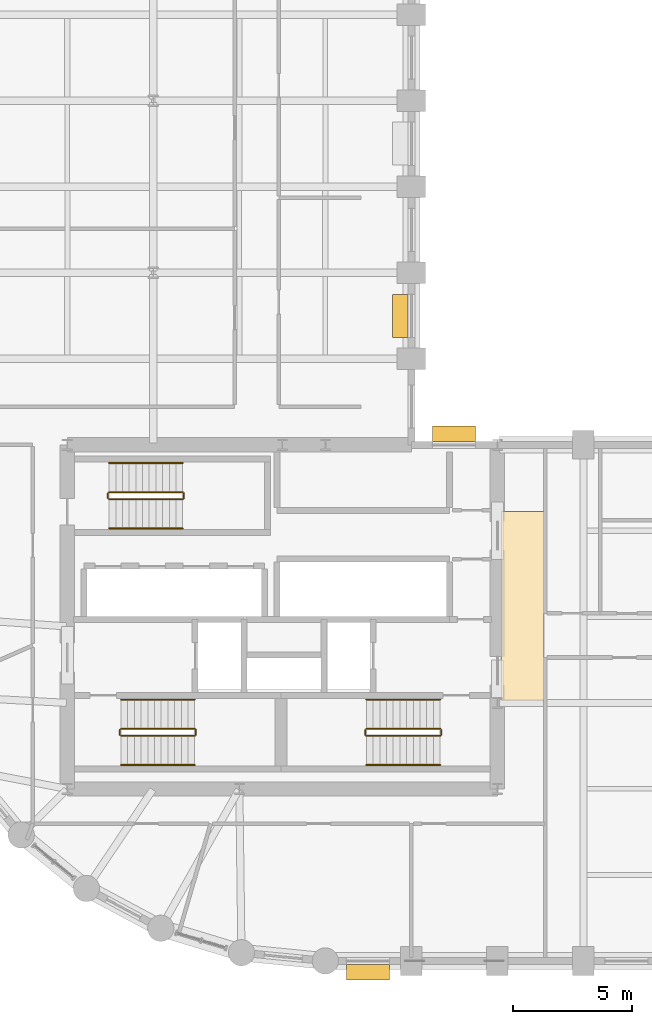
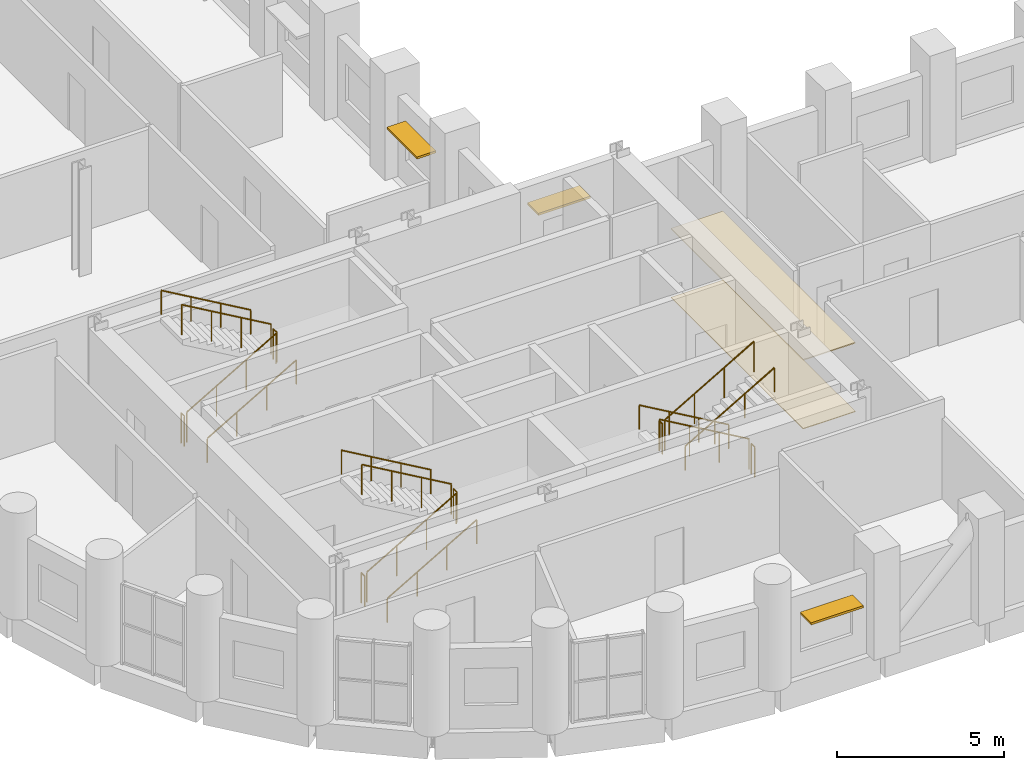
# One storey, part 12 of 13: 18 railings, 3 shading devices, 2 coverings.
"""IFC4 building model written with IfcOpenShell, lengths in metres."""

from ifc_helpers import new_model, si_unit, direction, frame, origin, origin_2d, place, context, subcontext, project, spatial, polyline, rectangle, circle, outline, extrude, material, layer, layer_set, type_object, element, save


model = new_model("IFC4")

# Units and contexts
model_context = context("Model", 3, precision=1e-05, world=origin(), true_north=direction((0.0, 1.0)))
body_context = subcontext(model_context, "Body", "Model", "MODEL_VIEW")
ifc_project = project(units=[si_unit("LENGTHUNIT", "METRE"), si_unit("AREAUNIT", "SQUARE_METRE"), si_unit("VOLUMEUNIT", "CUBIC_METRE"), si_unit("PLANEANGLEUNIT", "RADIAN"), si_unit("MASSUNIT", "GRAM", prefix="KILO")], contexts=[model_context])

# Site, building, storey
site_placement = place(None, origin())
site = spatial("IfcSite", under=ifc_project, at=site_placement, CompositionType="ELEMENT")
building_placement = place(site_placement, origin())
building = spatial("IfcBuilding", under=site, at=building_placement, Name="Solnavia Interchange Tower", CompositionType="ELEMENT")
storey_placement = place(building_placement, frame((0.0, 0.0, 39.60009765625)))
storey = spatial("IfcBuildingStorey", under=building, at=storey_placement, Name="L09", CompositionType="ELEMENT", Elevation=39.60009765625)

# Coverings
ifc_material_1 = material(Name="Perforated Mineral-Fibre & Gypsum Ceiling", Category="gypsum")
ifc_layer_1 = layer(ifc_material_1, 0.0400390625)
ifc_layer_set_1 = layer_set([ifc_layer_1], Name="Perforated Mineral-Fibre & Gypsum Ceiling")
covering_type_1 = type_object("IfcCoveringType", Name="Covering-Ceiling-Acoustic40", PredefinedType="CEILING", material=ifc_layer_set_1)
covering_1_placement = place(storey_placement, frame((0.0, 0.0, 2.5)))
element("IfcCovering", 1, at=covering_1_placement, inside=storey, type_object=covering_type_1, Name="CLG-L09-01 Circulation suspended acoustic ceiling", PredefinedType="CEILING", context=body_context, shape_type="SweptSolid", body=[
    extrude(outline(polyline([(32.550048828125, 14.5), (34.35009765625, 14.5), (34.35009765625, 22.39990234375), (32.550048828125, 22.39990234375), (32.550048828125, 14.5)])), origin(), (0.0, 0.0, 1.0), 0.039794921875),
])
ifc_material_2 = material(Name="Polished Alicante Stone Terrazzo", Category="masonry")
ifc_layer_2 = layer(ifc_material_2, 0.02490234375)
ifc_layer_set_2 = layer_set([ifc_layer_2], Name="Polished Alicante Stone Terrazzo")
covering_type_2 = type_object("IfcCoveringType", Name="Covering-Flooring-Terrazzo25", PredefinedType="FLOORING", material=ifc_layer_set_2)
covering_2_placement = place(storey_placement, origin())
element("IfcCovering", 2, at=covering_2_placement, inside=storey, type_object=covering_type_2, Name="FLR-L09-01 Circulation floor finish", PredefinedType="FLOORING", context=body_context, shape_type="SweptSolid", body=[
    extrude(outline(polyline([(32.550048828125, 14.5), (34.35009765625, 14.5), (34.35009765625, 22.39990234375), (32.550048828125, 22.39990234375), (32.550048828125, 14.5)])), origin(), (0.0, 0.0, 1.0), 0.02490234375),
])

# Railings
ifc_material_3 = material(Name="Painted Steel Balustrade", Category="steel")
railing_type_1 = type_object("IfcRailingType", Name="Railing-StairGuard-1100", PredefinedType="GUARDRAIL", material=ifc_material_3)
railing_1_placement = place(storey_placement, frame((16.64990234375, 13.02001953125, 0.162353515625)))
element("IfcRailing", 3, at=railing_1_placement, inside=storey, type_object=railing_type_1, Name="L09 ST-1 stair guard 1", PredefinedType="GUARDRAIL", context=body_context, shape_type="SweptSolid", body=[
    extrude(circle(Radius=0.02392578125, at=origin_2d()), frame((0.0, 0.0, 1.09619140625), z_axis=(0.864890721111, 0.0, 0.501960198159), x_axis=(0.0, 1.0, 0.0)), (0.0, 0.0, 1.0), 3.561279296875),
    extrude(circle(Radius=0.02099609375, at=origin_2d()), origin(), (0.0, 0.0, 1.0), 1.072021484375),
    extrude(circle(Radius=0.02099609375, at=origin_2d()), frame((1.026611328125, 0.0, 0.595947265625)), (0.0, 0.0, 1.0), 1.072021484375),
    extrude(circle(Radius=0.02099609375, at=origin_2d()), frame((2.053466796875, 0.0, 1.191650390625)), (0.0, 0.0, 1.0), 1.072021484375),
    extrude(circle(Radius=0.02099609375, at=origin_2d()), frame((3.080078125, 0.0, 1.78759765625)), (0.0, 0.0, 1.0), 1.072021484375),
])
railing_2_placement = place(storey_placement, frame((19.780029296875, 13.070068359375, 1.949951171875)))
element("IfcRailing", 4, at=railing_2_placement, inside=storey, type_object=railing_type_1, Name="L09 ST-1 stair guard 2", PredefinedType="GUARDRAIL", context=body_context, shape_type="SweptSolid", body=[
    extrude(circle(Radius=0.02392578125, at=origin_2d()), frame((0.0, 0.0, 1.09619140625), z_axis=(0.0, 1.0, 0.0), x_axis=(-1.0, 0.0, 0.0)), (0.0, 0.0, 1.0), 0.199951171875),
    extrude(circle(Radius=0.02099609375, at=origin_2d()), origin(), (0.0, 0.0, 1.0), 1.072021484375),
    extrude(circle(Radius=0.02099609375, at=origin_2d()), frame((0.0, 0.199951171875, 0.0)), (0.0, 0.0, 1.0), 1.072021484375),
])
railing_3_placement = place(storey_placement, frame((19.72998046875, 13.320068359375, 2.1123046875)))
element("IfcRailing", 5, at=railing_3_placement, inside=storey, type_object=railing_type_1, Name="L09 ST-1 stair guard 3", PredefinedType="GUARDRAIL", context=body_context, shape_type="SweptSolid", body=[
    extrude(circle(Radius=0.02392578125, at=origin_2d()), frame((0.0, 0.0, 1.09619140625), z_axis=(-0.864890721111, 0.0, 0.501960198159), x_axis=(0.0, -1.0, 0.0)), (0.0, 0.0, 1.0), 3.561279296875),
    extrude(circle(Radius=0.02099609375, at=origin_2d()), origin(), (0.0, 0.0, 1.0), 1.072021484375),
    extrude(circle(Radius=0.02099609375, at=origin_2d()), frame((-1.026611328125, 0.0, 0.595947265625)), (0.0, 0.0, 1.0), 1.072021484375),
    extrude(circle(Radius=0.02099609375, at=origin_2d()), frame((-2.053466796875, 0.0, 1.191650390625)), (0.0, 0.0, 1.0), 1.072021484375),
    extrude(circle(Radius=0.02099609375, at=origin_2d()), frame((-3.080078125, 0.0, 1.78759765625)), (0.0, 0.0, 1.0), 1.072021484375),
])
railing_4_placement = place(storey_placement, frame((16.60009765625, 13.070068359375, 0.0)))
element("IfcRailing", 6, at=railing_4_placement, inside=storey, type_object=railing_type_1, Name="L09 ST-1 stair guard 4", PredefinedType="GUARDRAIL", context=body_context, shape_type="SweptSolid", body=[
    extrude(circle(Radius=0.02392578125, at=origin_2d()), frame((0.0, 0.0, 1.09619140625), z_axis=(0.0, 1.0, 0.0), x_axis=(-1.0, 0.0, 0.0)), (0.0, 0.0, 1.0), 0.199951171875),
    extrude(circle(Radius=0.02099609375, at=origin_2d()), origin(), (0.0, 0.0, 1.0), 1.072021484375),
    extrude(circle(Radius=0.02099609375, at=origin_2d()), frame((0.0, 0.199951171875, 0.0)), (0.0, 0.0, 1.0), 1.072021484375),
])
railing_5_placement = place(storey_placement, frame((30.0, 13.320068359375, 0.162353515625)))
element("IfcRailing", 7, at=railing_5_placement, inside=storey, type_object=railing_type_1, Name="L09 ST-2 stair guard 1", PredefinedType="GUARDRAIL", context=body_context, shape_type="SweptSolid", body=[
    extrude(circle(Radius=0.02392578125, at=origin_2d()), frame((0.0, 0.0, 1.09619140625), z_axis=(-0.864890721111, 0.0, 0.501960198159), x_axis=(0.0, -1.0, 0.0)), (0.0, 0.0, 1.0), 3.561279296875),
    extrude(circle(Radius=0.02099609375, at=origin_2d()), origin(), (0.0, 0.0, 1.0), 1.072021484375),
    extrude(circle(Radius=0.02099609375, at=origin_2d()), frame((-1.026611328125, 0.0, 0.595947265625)), (0.0, 0.0, 1.0), 1.072021484375),
    extrude(circle(Radius=0.02099609375, at=origin_2d()), frame((-2.053466796875, 0.0, 1.191650390625)), (0.0, 0.0, 1.0), 1.072021484375),
    extrude(circle(Radius=0.02099609375, at=origin_2d()), frame((-3.080078125, 0.0, 1.78759765625)), (0.0, 0.0, 1.0), 1.072021484375),
])
railing_6_placement = place(storey_placement, frame((26.8701171875, 13.27001953125, 1.949951171875)))
element("IfcRailing", 8, at=railing_6_placement, inside=storey, type_object=railing_type_1, Name="L09 ST-2 stair guard 2", PredefinedType="GUARDRAIL", context=body_context, shape_type="SweptSolid", body=[
    extrude(circle(Radius=0.02392578125, at=origin_2d()), frame((0.0, 0.0, 1.09619140625), z_axis=(0.0, -1.0, 0.0), x_axis=(1.0, 0.0, 0.0)), (0.0, 0.0, 1.0), 0.199951171875),
    extrude(circle(Radius=0.02099609375, at=origin_2d()), origin(), (0.0, 0.0, 1.0), 1.072021484375),
    extrude(circle(Radius=0.02099609375, at=origin_2d()), frame((0.0, -0.199951171875, 0.0)), (0.0, 0.0, 1.0), 1.072021484375),
])
railing_7_placement = place(storey_placement, frame((26.919921875, 13.02001953125, 2.1123046875)))
element("IfcRailing", 9, at=railing_7_placement, inside=storey, type_object=railing_type_1, Name="L09 ST-2 stair guard 3", PredefinedType="GUARDRAIL", context=body_context, shape_type="SweptSolid", body=[
    extrude(circle(Radius=0.02392578125, at=origin_2d()), frame((0.0, 0.0, 1.09619140625), z_axis=(0.864890721111, 0.0, 0.501960198159), x_axis=(0.0, 1.0, 0.0)), (0.0, 0.0, 1.0), 3.561279296875),
    extrude(circle(Radius=0.02099609375, at=origin_2d()), origin(), (0.0, 0.0, 1.0), 1.072021484375),
    extrude(circle(Radius=0.02099609375, at=origin_2d()), frame((1.026611328125, 0.0, 0.595947265625)), (0.0, 0.0, 1.0), 1.072021484375),
    extrude(circle(Radius=0.02099609375, at=origin_2d()), frame((2.053466796875, 0.0, 1.191650390625)), (0.0, 0.0, 1.0), 1.072021484375),
    extrude(circle(Radius=0.02099609375, at=origin_2d()), frame((3.080078125, 0.0, 1.78759765625)), (0.0, 0.0, 1.0), 1.072021484375),
])
railing_8_placement = place(storey_placement, frame((30.050048828125, 13.27001953125, 0.0)))
element("IfcRailing", 10, at=railing_8_placement, inside=storey, type_object=railing_type_1, Name="L09 ST-2 stair guard 4", PredefinedType="GUARDRAIL", context=body_context, shape_type="SweptSolid", body=[
    extrude(circle(Radius=0.02392578125, at=origin_2d()), frame((0.0, 0.0, 1.09619140625), z_axis=(0.0, -1.0, 0.0), x_axis=(1.0, 0.0, 0.0)), (0.0, 0.0, 1.0), 0.199951171875),
    extrude(circle(Radius=0.02099609375, at=origin_2d()), origin(), (0.0, 0.0, 1.0), 1.072021484375),
    extrude(circle(Radius=0.02099609375, at=origin_2d()), frame((0.0, -0.199951171875, 0.0)), (0.0, 0.0, 1.0), 1.072021484375),
])
railing_9_placement = place(storey_placement, frame((16.14990234375, 22.919921875, 0.162353515625)))
element("IfcRailing", 11, at=railing_9_placement, inside=storey, type_object=railing_type_1, Name="L09 ST-3 stair guard 1", PredefinedType="GUARDRAIL", context=body_context, shape_type="SweptSolid", body=[
    extrude(circle(Radius=0.02392578125, at=origin_2d()), frame((0.0, 0.0, 1.09619140625), z_axis=(0.864890721111, 0.0, 0.501960198159), x_axis=(0.0, 1.0, 0.0)), (0.0, 0.0, 1.0), 3.561279296875),
    extrude(circle(Radius=0.02099609375, at=origin_2d()), origin(), (0.0, 0.0, 1.0), 1.072021484375),
    extrude(circle(Radius=0.02099609375, at=origin_2d()), frame((1.026611328125, 0.0, 0.595947265625)), (0.0, 0.0, 1.0), 1.072021484375),
    extrude(circle(Radius=0.02099609375, at=origin_2d()), frame((2.053466796875, 0.0, 1.191650390625)), (0.0, 0.0, 1.0), 1.072021484375),
    extrude(circle(Radius=0.02099609375, at=origin_2d()), frame((3.080078125, 0.0, 1.78759765625)), (0.0, 0.0, 1.0), 1.072021484375),
])
railing_10_placement = place(storey_placement, frame((19.280029296875, 22.969970703125, 1.949951171875)))
element("IfcRailing", 12, at=railing_10_placement, inside=storey, type_object=railing_type_1, Name="L09 ST-3 stair guard 2", PredefinedType="GUARDRAIL", context=body_context, shape_type="SweptSolid", body=[
    extrude(circle(Radius=0.02392578125, at=origin_2d()), frame((0.0, 0.0, 1.09619140625), z_axis=(0.0, 1.0, 0.0), x_axis=(-1.0, 0.0, 0.0)), (0.0, 0.0, 1.0), 0.199951171875),
    extrude(circle(Radius=0.02099609375, at=origin_2d()), origin(), (0.0, 0.0, 1.0), 1.072021484375),
    extrude(circle(Radius=0.02099609375, at=origin_2d()), frame((0.0, 0.199951171875, 0.0)), (0.0, 0.0, 1.0), 1.072021484375),
])
railing_11_placement = place(storey_placement, frame((19.22998046875, 23.219970703125, 2.1123046875)))
element("IfcRailing", 13, at=railing_11_placement, inside=storey, type_object=railing_type_1, Name="L09 ST-3 stair guard 3", PredefinedType="GUARDRAIL", context=body_context, shape_type="SweptSolid", body=[
    extrude(circle(Radius=0.02392578125, at=origin_2d()), frame((0.0, 0.0, 1.09619140625), z_axis=(-0.864890721111, 0.0, 0.501960198159), x_axis=(0.0, -1.0, 0.0)), (0.0, 0.0, 1.0), 3.561279296875),
    extrude(circle(Radius=0.02099609375, at=origin_2d()), origin(), (0.0, 0.0, 1.0), 1.072021484375),
    extrude(circle(Radius=0.02099609375, at=origin_2d()), frame((-1.026611328125, 0.0, 0.595947265625)), (0.0, 0.0, 1.0), 1.072021484375),
    extrude(circle(Radius=0.02099609375, at=origin_2d()), frame((-2.053466796875, 0.0, 1.191650390625)), (0.0, 0.0, 1.0), 1.072021484375),
    extrude(circle(Radius=0.02099609375, at=origin_2d()), frame((-3.080078125, 0.0, 1.78759765625)), (0.0, 0.0, 1.0), 1.072021484375),
])
railing_12_placement = place(storey_placement, frame((16.10009765625, 22.969970703125, 0.0)))
element("IfcRailing", 14, at=railing_12_placement, inside=storey, type_object=railing_type_1, Name="L09 ST-3 stair guard 4", PredefinedType="GUARDRAIL", context=body_context, shape_type="SweptSolid", body=[
    extrude(circle(Radius=0.02392578125, at=origin_2d()), frame((0.0, 0.0, 1.09619140625), z_axis=(0.0, 1.0, 0.0), x_axis=(-1.0, 0.0, 0.0)), (0.0, 0.0, 1.0), 0.199951171875),
    extrude(circle(Radius=0.02099609375, at=origin_2d()), origin(), (0.0, 0.0, 1.0), 1.072021484375),
    extrude(circle(Radius=0.02099609375, at=origin_2d()), frame((0.0, 0.199951171875, 0.0)), (0.0, 0.0, 1.0), 1.072021484375),
])
ifc_material_4 = material(Name="Brushed Stainless Steel", Category="steel")
railing_type_2 = type_object("IfcRailingType", Name="Railing-StairHandrail-900", PredefinedType="HANDRAIL", material=ifc_material_4)
railing_13_placement = place(storey_placement, frame((16.64990234375, 11.800048828125, 0.162353515625)))
element("IfcRailing", 15, at=railing_13_placement, inside=storey, type_object=railing_type_2, Name="L09 ST-1 stair handrail 1", PredefinedType="HANDRAIL", context=body_context, shape_type="SweptSolid", body=[
    extrude(circle(Radius=0.02392578125, at=origin_2d()), frame((0.0, 0.0, 0.8759765625), z_axis=(0.864890721111, 0.0, 0.501960198159), x_axis=(0.0, 1.0, 0.0)), (0.0, 0.0, 1.0), 3.561279296875),
    extrude(circle(Radius=0.02099609375, at=origin_2d()), origin(), (0.0, 0.0, 1.0), 0.851806640625),
    extrude(circle(Radius=0.02099609375, at=origin_2d()), frame((1.026611328125, 0.0, 0.595947265625)), (0.0, 0.0, 1.0), 0.851806640625),
    extrude(circle(Radius=0.02099609375, at=origin_2d()), frame((2.053466796875, 0.0, 1.191650390625)), (0.0, 0.0, 1.0), 0.851806640625),
    extrude(circle(Radius=0.02099609375, at=origin_2d()), frame((3.080078125, 0.0, 1.78759765625)), (0.0, 0.0, 1.0), 0.851806640625),
])
for number, where, name in (
    (16, (19.72998046875, 14.5400390625, 2.1123046875), "L09 ST-1 stair handrail 2"),
    (17, (30.0, 14.5400390625, 0.162353515625), "L09 ST-2 stair handrail 1"),
):
    element("IfcRailing", number, at=place(storey_placement, frame(where)), inside=storey, type_object=railing_type_2, Name=name, PredefinedType="HANDRAIL", context=body_context, shape_type="SweptSolid", body=[
        extrude(circle(Radius=0.02392578125, at=origin_2d()), frame((0.0, 0.0, 0.8759765625), z_axis=(-0.864890721111, 0.0, 0.501960198159), x_axis=(0.0, -1.0, 0.0)), (0.0, 0.0, 1.0), 3.561279296875),
        extrude(circle(Radius=0.02099609375, at=origin_2d()), origin(), (0.0, 0.0, 1.0), 0.851806640625),
        extrude(circle(Radius=0.02099609375, at=origin_2d()), frame((-1.026611328125, 0.0, 0.595947265625)), (0.0, 0.0, 1.0), 0.851806640625),
        extrude(circle(Radius=0.02099609375, at=origin_2d()), frame((-2.053466796875, 0.0, 1.191650390625)), (0.0, 0.0, 1.0), 0.851806640625),
        extrude(circle(Radius=0.02099609375, at=origin_2d()), frame((-3.080078125, 0.0, 1.78759765625)), (0.0, 0.0, 1.0), 0.851806640625),
    ])
for number, where, name in (
    (18, (26.919921875, 11.800048828125, 2.1123046875), "L09 ST-2 stair handrail 2"),
    (19, (16.14990234375, 21.699951171875, 0.162353515625), "L09 ST-3 stair handrail 1"),
):
    element("IfcRailing", number, at=place(storey_placement, frame(where)), inside=storey, type_object=railing_type_2, Name=name, PredefinedType="HANDRAIL", context=body_context, shape_type="SweptSolid", body=[
        extrude(circle(Radius=0.02392578125, at=origin_2d()), frame((0.0, 0.0, 0.8759765625), z_axis=(0.864890721111, 0.0, 0.501960198159), x_axis=(0.0, 1.0, 0.0)), (0.0, 0.0, 1.0), 3.561279296875),
        extrude(circle(Radius=0.02099609375, at=origin_2d()), origin(), (0.0, 0.0, 1.0), 0.851806640625),
        extrude(circle(Radius=0.02099609375, at=origin_2d()), frame((1.026611328125, 0.0, 0.595947265625)), (0.0, 0.0, 1.0), 0.851806640625),
        extrude(circle(Radius=0.02099609375, at=origin_2d()), frame((2.053466796875, 0.0, 1.191650390625)), (0.0, 0.0, 1.0), 0.851806640625),
        extrude(circle(Radius=0.02099609375, at=origin_2d()), frame((3.080078125, 0.0, 1.78759765625)), (0.0, 0.0, 1.0), 0.851806640625),
    ])
railing_14_placement = place(storey_placement, frame((19.22998046875, 24.43994140625, 2.1123046875)))
element("IfcRailing", 20, at=railing_14_placement, inside=storey, type_object=railing_type_2, Name="L09 ST-3 stair handrail 2", PredefinedType="HANDRAIL", context=body_context, shape_type="SweptSolid", body=[
    extrude(circle(Radius=0.02392578125, at=origin_2d()), frame((0.0, 0.0, 0.8759765625), z_axis=(-0.864890721111, 0.0, 0.501960198159), x_axis=(0.0, -1.0, 0.0)), (0.0, 0.0, 1.0), 3.561279296875),
    extrude(circle(Radius=0.02099609375, at=origin_2d()), origin(), (0.0, 0.0, 1.0), 0.851806640625),
    extrude(circle(Radius=0.02099609375, at=origin_2d()), frame((-1.026611328125, 0.0, 0.595947265625)), (0.0, 0.0, 1.0), 0.851806640625),
    extrude(circle(Radius=0.02099609375, at=origin_2d()), frame((-2.053466796875, 0.0, 1.191650390625)), (0.0, 0.0, 1.0), 0.851806640625),
    extrude(circle(Radius=0.02099609375, at=origin_2d()), frame((-3.080078125, 0.0, 1.78759765625)), (0.0, 0.0, 1.0), 0.851806640625),
])

# Shading devices
ifc_material_5 = material(Name="Anodised Aluminium Sunshade", Category="aluminium")
ifc_layer_3 = layer(ifc_material_5, 0.080078125)
ifc_layer_set_3 = layer_set([ifc_layer_3], Name="Anodised Aluminium Sunshade")
shading_device_type = type_object("IfcShadingDeviceType", Name="Sunshade-Band-650", PredefinedType="SHUTTER", material=ifc_layer_set_3)
for number, where, z_axis, x_axis, name in (
    (21, (26.97509765625, 3.1298828125, 2.219970703125), (0.0, 0.0, 1.0), (-1.0, 0.0, 0.0), "SHD-L09-01 Horizontal sunshade band"),
    (22, (30.577880859375, 25.669921875, 2.219970703125), (0.0, 0.0, 1.0), (1.0, 0.0, 0.0), "SHD-L09-33 Horizontal sunshade band"),
    (23, (28.330078125, 30.60009765625, 2.219970703125), (0.0, 0.0, 1.0), (0.0, 1.0, 0.0), "SHD-L09-35 Horizontal sunshade band"),
):
    element("IfcShadingDevice", number, at=place(storey_placement, frame(where, z_axis=z_axis, x_axis=x_axis)), inside=storey, type_object=shading_device_type, Name=name, PredefinedType="SHUTTER", context=body_context, shape_type="SweptSolid", body=[
        extrude(rectangle(XDim=1.800048828125, YDim=0.64990234375, at=origin_2d()), origin(), (0.0, 0.0, 1.0), 0.080078125),
    ])

save(model, "model.ifc")
